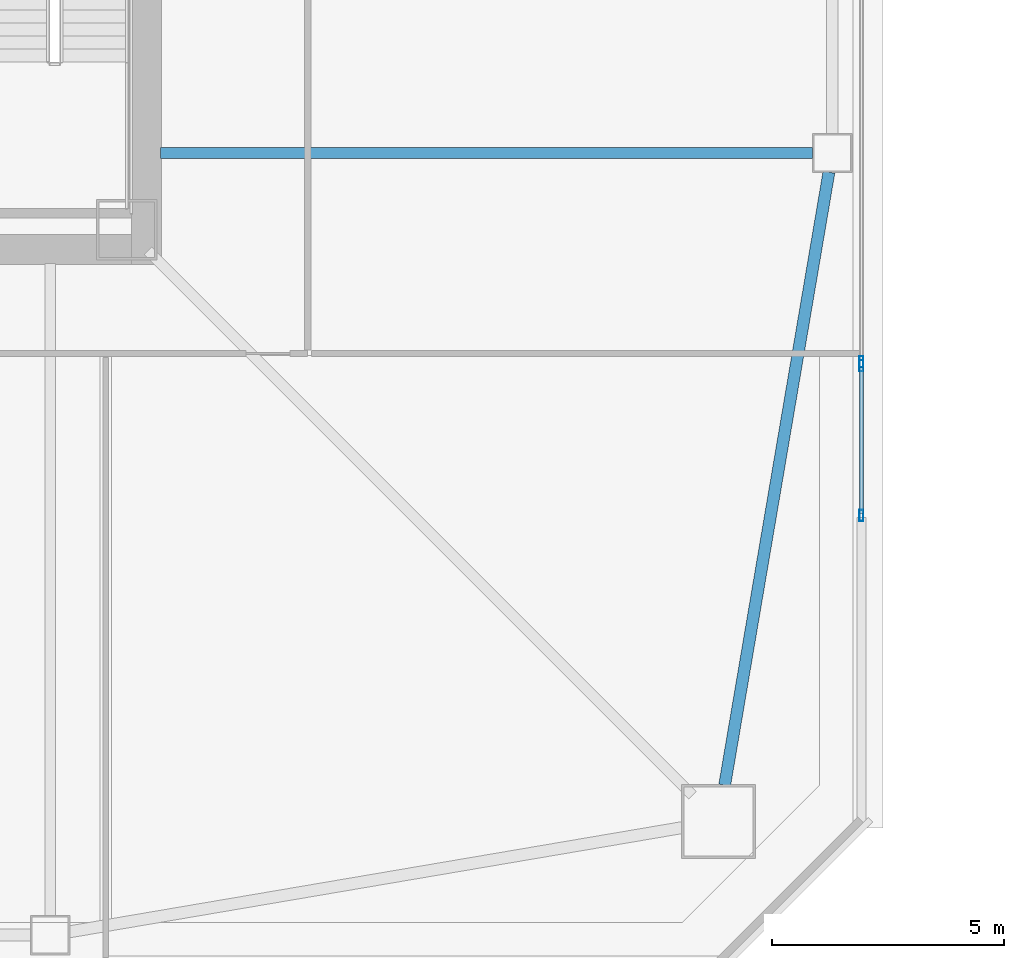
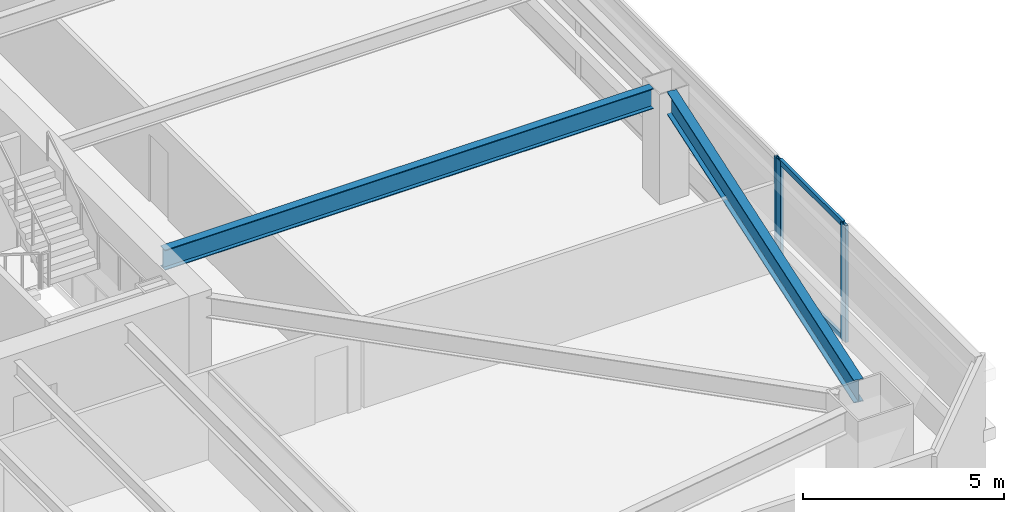
# One storey, part 10 of 48: 5 members, 2 beams, 2 elements without a shape of their own.
"""IFC4 building model written with IfcOpenShell, lengths in metres."""

from ifc_helpers import new_model, si_unit, direction, frame, origin, origin_2d, place, context, subcontext, project, spatial, hollow_rectangle, i_section, extrude, material, material_profile, profile_set, type_object, element, aggregate, save


model = new_model("IFC4")

# Units and contexts
model_context = context("Model", 3, precision=1e-05, world=origin(), true_north=direction((0.0, 1.0)))
body_context = subcontext(model_context, "Body", "Model", "MODEL_VIEW")
ifc_project = project(units=[si_unit("LENGTHUNIT", "METRE"), si_unit("AREAUNIT", "SQUARE_METRE"), si_unit("VOLUMEUNIT", "CUBIC_METRE"), si_unit("PLANEANGLEUNIT", "RADIAN"), si_unit("MASSUNIT", "GRAM", prefix="KILO")], contexts=[model_context])

# Site, building, storey
site_placement = place(None, origin())
site = spatial("IfcSite", under=ifc_project, at=site_placement, CompositionType="ELEMENT")
building_placement = place(site_placement, origin())
building = spatial("IfcBuilding", under=site, at=building_placement, Name="Tashvorn Skyway Center", CompositionType="ELEMENT")
storey_placement = place(building_placement, frame((0.0, 0.0, 56.550048828125)))
storey = spatial("IfcBuildingStorey", under=building, at=storey_placement, Name="L14", CompositionType="ELEMENT", Elevation=56.550048828125)

# Beams
ifc_material_1 = material(Name="Steel ASTM A992 Grade 50", Category="steel")
ifc_material_profile_1 = material_profile(ifc_material_1, i_section(OverallWidth=0.22998046875, OverallDepth=0.616943359375, WebThickness=0.01318359375, FlangeThickness=0.022216796875, at=origin_2d()), Name="W24X94")
ifc_profile_set_1 = profile_set([ifc_material_profile_1], Name="Steel ASTM A992 Grade 50")
beam_type_1 = type_object("IfcBeamType", Name="BM-BEAM-W24X94", PredefinedType="BEAM", material=ifc_profile_set_1)
beam_1_placement = place(storey_placement, frame((63.830078125, 26.60009765625, 3.04150390625), z_axis=(-1.0, 0.0, 0.0), x_axis=(0.0, -1.0, 0.0)))
element("IfcBeam", 1, at=beam_1_placement, inside=storey, type_object=beam_type_1, Name="Tower 1 L14 Primary Floor Girder FC-E1", PredefinedType="BEAM", context=body_context, shape_type="SweptSolid", body=[
    extrude(i_section(OverallWidth=0.22998046875, OverallDepth=0.616943359375, WebThickness=0.01318359375, FlangeThickness=0.022216796875, at=origin_2d()), origin(), (0.0, 0.0, 1.0), 14.050048828125),
])
ifc_material_profile_2 = material_profile(ifc_material_1, i_section(OverallWidth=0.256103515625, OverallDepth=0.693115234375, WebThickness=0.014404296875, FlangeThickness=0.023681640625, at=origin_2d()), Name="W27X114")
ifc_profile_set_2 = profile_set([ifc_material_profile_2], Name="Steel ASTM A992 Grade 50")
beam_type_2 = type_object("IfcBeamType", Name="BM-SPANDREL-W27X114", PredefinedType="SPANDREL", material=ifc_profile_set_2)
beam_2_placement = place(storey_placement, frame((61.933349609375, 12.983642578125, 3.00341796875), z_axis=(0.16771792509, 0.985835025551, 0.0), x_axis=(-0.985835025551, 0.16771792509, 0.0)))
element("IfcBeam", 2, at=beam_2_placement, inside=storey, type_object=beam_type_2, Name="Tower 1 L14 Spandrel Beam 04", PredefinedType="SPANDREL", context=body_context, shape_type="SweptSolid", body=[
    extrude(i_section(OverallWidth=0.256103515625, OverallDepth=0.693115234375, WebThickness=0.014404296875, FlangeThickness=0.023681640625, at=origin_2d()), origin(), (0.0, 0.0, 1.0), 13.39208984375),
])

# Curtain wall, member
ifc_material_2 = material(Name="Thermally broken bronze-anodized aluminium 6063-T6", Category="aluminium")
curtain_wall_type = type_object("IfcCurtainWallType", Name="CW-CW-Z1", PredefinedType="NOTDEFINED", material=ifc_material_2)
curtain_wall_1_placement = place(storey_placement, origin())
curtain_wall_1 = element("IfcCurtainWall", 3, at=curtain_wall_1_placement, inside=storey, type_object=curtain_wall_type, Name="Tower 1 L14 East Unitised Curtain Wall Glazing Group 2", PredefinedType="NOTDEFINED")
ifc_material_profile_3 = material_profile(ifc_material_2, hollow_rectangle(XDim=0.0849609375, YDim=0.239990234375, WallThickness=0.0048828125, at=origin_2d()), Name="ALU-MULL-85x240")
ifc_profile_set_3 = profile_set([ifc_material_profile_3], Name="Thermally broken bronze-anodized aluminium 6063-T6")
member_type_1 = type_object("IfcMemberType", Name="CWM-CW-Z1", PredefinedType="MULLION", material=ifc_profile_set_3)
member_1_placement = place(storey_placement, frame((64.8798828125, 22.1025390625, 0.0), z_axis=(0.0, 0.0, 1.0), x_axis=(1.0, 0.0, 0.0)))
member_1 = element("IfcMember", 4, at=member_1_placement, type_object=member_type_1, Name="CW-Z1 mullion 3", PredefinedType="MULLION", context=body_context, shape_type="SweptSolid", body=[
    extrude(hollow_rectangle(XDim=0.0849609375, YDim=0.239990234375, WallThickness=0.0048828125, at=origin_2d()), origin(), (0.0, 0.0, 1.0), 3.550048828125),
])
aggregate(curtain_wall_1, [member_1])

# Curtain wall, members
curtain_wall_2_placement = place(storey_placement, origin())
curtain_wall_2 = element("IfcCurtainWall", 5, at=curtain_wall_2_placement, inside=storey, type_object=curtain_wall_type, Name="Tower 1 L14 East Unitised Curtain Wall Glazing Group 3", PredefinedType="NOTDEFINED")
member_2_placement = place(storey_placement, frame((64.8798828125, 22.017578125, 0.0), z_axis=(0.0, 0.0, 1.0), x_axis=(1.0, 0.0, 0.0)))
member_2 = element("IfcMember", 6, at=member_2_placement, type_object=member_type_1, Name="CW-Z1 mullion 1", PredefinedType="MULLION", context=body_context, shape_type="SweptSolid", body=[
    extrude(hollow_rectangle(XDim=0.0849609375, YDim=0.239990234375, WallThickness=0.0048828125, at=origin_2d()), origin(), (0.0, 0.0, 1.0), 3.550048828125),
])
member_3_placement = place(storey_placement, frame((64.8798828125, 18.789306640625, 0.0), z_axis=(0.0, 0.0, 1.0), x_axis=(1.0, 0.0, 0.0)))
member_3 = element("IfcMember", 7, at=member_3_placement, type_object=member_type_1, Name="CW-Z1 mullion 2", PredefinedType="MULLION", context=body_context, shape_type="SweptSolid", body=[
    extrude(hollow_rectangle(XDim=0.0849609375, YDim=0.239990234375, WallThickness=0.0048828125, at=origin_2d()), origin(), (0.0, 0.0, 1.0), 3.550048828125),
])
ifc_material_profile_4 = material_profile(ifc_material_2, hollow_rectangle(XDim=0.0849609375, YDim=0.1650390625, WallThickness=0.0048828125, at=origin_2d()), Name="ALU-TRAN-85x165")
ifc_profile_set_4 = profile_set([ifc_material_profile_4], Name="Thermally broken bronze-anodized aluminium 6063-T6")
member_type_2 = type_object("IfcMemberType", Name="CWT-CW-Z1", PredefinedType="USERDEFINED", material=ifc_profile_set_4)
member_4_placement = place(storey_placement, frame((64.8798828125, 21.97509765625, 0.04248046875), z_axis=(0.0, -1.0, 0.0), x_axis=(1.0, 0.0, 0.0)))
member_4 = element("IfcMember", 8, at=member_4_placement, type_object=member_type_2, Name="CW-Z1 transom 1.1", ObjectType="TRANSOM", PredefinedType="USERDEFINED", context=body_context, shape_type="SweptSolid", body=[
    extrude(hollow_rectangle(XDim=0.0849609375, YDim=0.1650390625, WallThickness=0.0048828125, at=origin_2d()), origin(), (0.0, 0.0, 1.0), 3.143310546875),
])
member_5_placement = place(storey_placement, frame((64.8798828125, 21.97509765625, 3.507568359375), z_axis=(0.0, -1.0, 0.0), x_axis=(1.0, 0.0, 0.0)))
member_5 = element("IfcMember", 9, at=member_5_placement, type_object=member_type_2, Name="CW-Z1 transom 1.2", ObjectType="TRANSOM", PredefinedType="USERDEFINED", context=body_context, shape_type="SweptSolid", body=[
    extrude(hollow_rectangle(XDim=0.0849609375, YDim=0.1650390625, WallThickness=0.0048828125, at=origin_2d()), origin(), (0.0, 0.0, 1.0), 3.143310546875),
])
aggregate(curtain_wall_2, [member_2, member_3, member_4, member_5])

save(model, "model.ifc")
